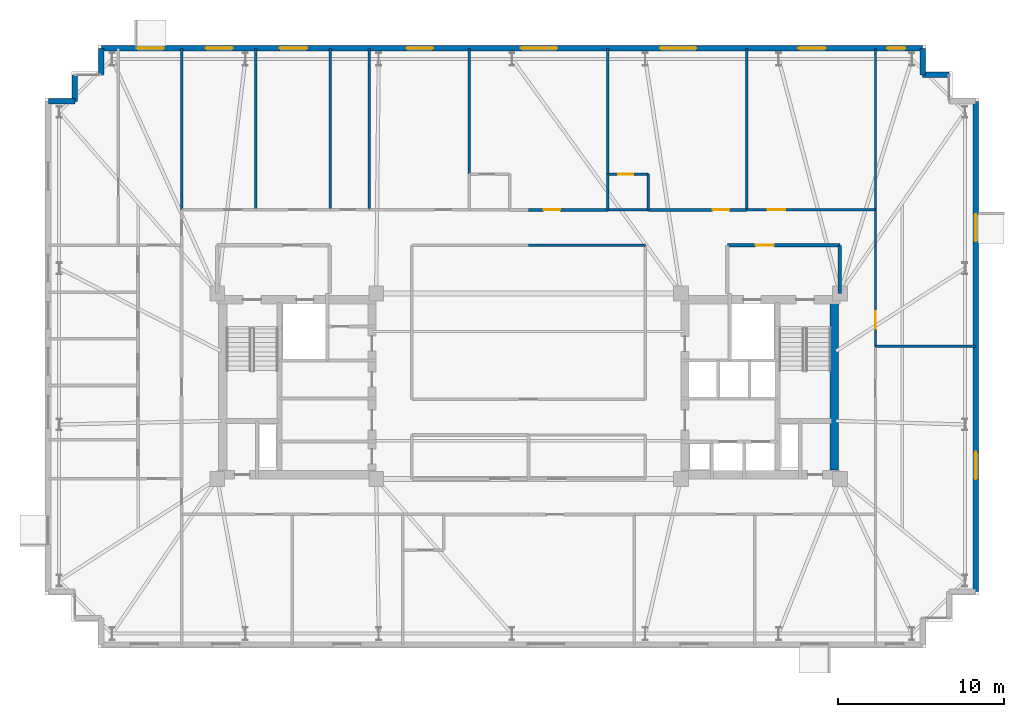
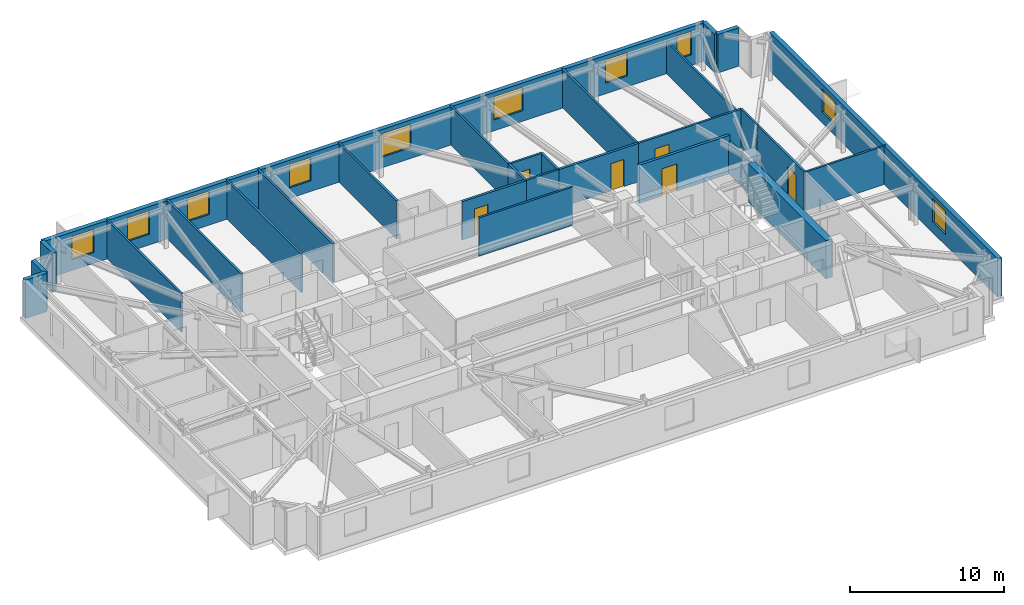
# One storey, part 14 of 17: 29 walls, 10 windows, 6 doors, 16 openings.
"""IFC4 building model written with IfcOpenShell, lengths in metres."""

from ifc_helpers import new_model, si_unit, direction, frame, frame_2d, origin, place, context, subcontext, project, spatial, rectangle, extrude, material, layer, layer_set, type_object, element, fill, save


model = new_model("IFC4")

# Units and contexts
model_context = context("Model", 3, precision=1e-05, world=origin(), true_north=direction((0.0, 1.0)))
body_context = subcontext(model_context, "Body", "Model", "MODEL_VIEW")
ifc_project = project(units=[si_unit("LENGTHUNIT", "METRE"), si_unit("AREAUNIT", "SQUARE_METRE"), si_unit("VOLUMEUNIT", "CUBIC_METRE"), si_unit("PLANEANGLEUNIT", "RADIAN"), si_unit("MASSUNIT", "GRAM", prefix="KILO")], contexts=[model_context])

# Site, building, storey
site_placement = place(None, origin())
site = spatial("IfcSite", under=ifc_project, at=site_placement, CompositionType="ELEMENT")
building_placement = place(site_placement, origin())
building = spatial("IfcBuilding", under=site, at=building_placement, Name="Qobustan Lattice House", CompositionType="ELEMENT")
storey_placement = place(building_placement, frame((0.0, 0.0, 167.85009765625)))
storey = spatial("IfcBuildingStorey", under=building, at=storey_placement, Name="L47", CompositionType="ELEMENT", Elevation=167.85009765625)

# Walls
ifc_material_1 = material(Name="Concrete C50/60", Category="concrete")
ifc_layer_1 = layer(ifc_material_1, 0.5)
ifc_layer_set_1 = layer_set([ifc_layer_1], Name="Concrete C50/60")
wall_type_1 = type_object("IfcWallType", Name="WAL-CORE-500", PredefinedType="SHEAR", material=ifc_layer_set_1)
wall_1_placement = place(storey_placement, frame((18.4599609375, -5.050048828125, 0.0), z_axis=(0.0, 0.0, 1.0), x_axis=(0.0, 1.0, 0.0)))
element("IfcWall", 1, at=wall_1_placement, inside=storey, type_object=wall_type_1, Name="L47 split-core shear wall CE-E", PredefinedType="SHEAR", context=body_context, shape_type="SweptSolid", body=[
    extrude(rectangle(XDim=10.10009765625, YDim=0.5, at=frame_2d((5.050048828125, 0.0))), origin(), (0.0, 0.0, 1.0), 3.039794921875),
])
ifc_material_2 = material(Name="Precast concrete C40/50", Category="concrete")
ifc_layer_2 = layer(ifc_material_2, 0.320068359375)
ifc_layer_set_2 = layer_set([ifc_layer_2], Name="Precast concrete C40/50")
wall_type_2 = type_object("IfcWallType", Name="WAL-EXT-STONE-320", PredefinedType="SOLIDWALL", material=ifc_layer_set_2)
for number, where, z_axis, x_axis, name in (
    (2, (-29.0, 17.199951171875, 0.0), (0.0, 0.0, 1.0), (1.0, 0.0, 0.0), "L47 exterior limestone-clad wall 6"),
    (3, (-27.39990234375, 17.199951171875, 0.0), (0.0, 0.0, 1.0), (0.0, 1.0, 0.0), "L47 exterior limestone-clad wall 7"),
):
    element("IfcWall", number, at=place(storey_placement, frame(where, z_axis=z_axis, x_axis=x_axis)), inside=storey, type_object=wall_type_2, Name=name, PredefinedType="SOLIDWALL", context=body_context, shape_type="SweptSolid", body=[
        extrude(rectangle(XDim=1.60009765625, YDim=0.320068359375, at=frame_2d((0.800048828125, 0.0))), origin(), (0.0, 0.0, 1.0), 3.039794921875),
    ])
wall_2_placement = place(storey_placement, frame((-25.800048828125, 18.800048828125, 0.0), z_axis=(0.0, 0.0, 1.0), x_axis=(0.0, 1.0, 0.0)))
element("IfcWall", 4, at=wall_2_placement, inside=storey, type_object=wall_type_2, Name="L47 exterior limestone-clad wall 9", PredefinedType="SOLIDWALL", context=body_context, shape_type="SweptSolid", body=[
    extrude(rectangle(XDim=1.599853515625, YDim=0.320068359375, at=frame_2d((0.7998046875, 0.0))), origin(), (0.0, 0.0, 1.0), 3.039794921875),
])

# Wall, openings, windows
wall_3_placement = place(storey_placement, frame((-25.800048828125, 20.39990234375, 0.0), z_axis=(0.0, 0.0, 1.0), x_axis=(1.0, 0.0, 0.0)))
wall_3 = element("IfcWall", 5, at=wall_3_placement, inside=storey, type_object=wall_type_2, Name="L47 exterior limestone-clad wall 10", PredefinedType="SOLIDWALL", context=body_context, shape_type="SweptSolid", body=[
    extrude(rectangle(XDim=49.60009765625, YDim=0.320068359375, at=frame_2d((24.800048828125, 0.0))), origin(), (0.0, 0.0, 1.0), 3.039794921875),
])
opening_1_placement = place(wall_3_placement, frame((2.135009765625, 0.0, 0.85009765625)))
opening_1 = element("IfcOpeningElement", 6, at=opening_1_placement, cuts=wall_3, Name="Opening WN-09", PredefinedType="OPENING", context=body_context, shape_type="SweptSolid", body=[
    extrude(rectangle(XDim=1.64990234375, YDim=1.85009765625, at=frame_2d((0.824951171875, 0.925048828125))), frame((0.0, 0.169921875, 0.0), z_axis=(0.0, -1.0, 0.0), x_axis=(1.0, 0.0, 0.0)), (0.0, 0.0, 1.0), 0.340087890625),
])
opening_2_placement = place(wall_3_placement, frame((6.294921875, 0.0, 0.85009765625)))
opening_2 = element("IfcOpeningElement", 7, at=opening_2_placement, cuts=wall_3, Name="Opening WN-09", PredefinedType="OPENING", context=body_context, shape_type="SweptSolid", body=[
    extrude(rectangle(XDim=1.64990234375, YDim=1.85009765625, at=frame_2d((0.824951171875, 0.925048828125))), frame((0.0, 0.169921875, 0.0), z_axis=(0.0, -1.0, 0.0), x_axis=(1.0, 0.0, 0.0)), (0.0, 0.0, 1.0), 0.340087890625),
])
opening_3_placement = place(wall_3_placement, frame((10.77490234375, 0.0, 0.85009765625)))
opening_3 = element("IfcOpeningElement", 8, at=opening_3_placement, cuts=wall_3, Name="Opening WN-09", PredefinedType="OPENING", context=body_context, shape_type="SweptSolid", body=[
    extrude(rectangle(XDim=1.64990234375, YDim=1.85009765625, at=frame_2d((0.824951171875, 0.925048828125))), frame((0.0, 0.169921875, 0.0), z_axis=(0.0, -1.0, 0.0), x_axis=(1.0, 0.0, 0.0)), (0.0, 0.0, 1.0), 0.340087890625),
])
opening_4_placement = place(wall_3_placement, frame((18.43994140625, 0.0, 0.85009765625)))
opening_4 = element("IfcOpeningElement", 9, at=opening_4_placement, cuts=wall_3, Name="Opening WN-13", PredefinedType="OPENING", context=body_context, shape_type="SweptSolid", body=[
    extrude(rectangle(XDim=1.60009765625, YDim=1.85009765625, at=frame_2d((0.800048828125, 0.925048828125))), frame((0.0, 0.169921875, 0.0), z_axis=(0.0, -1.0, 0.0), x_axis=(1.0, 0.0, 0.0)), (0.0, 0.0, 1.0), 0.340087890625),
])
opening_5_placement = place(wall_3_placement, frame((25.340087890625, 0.0, 0.85009765625)))
opening_5 = element("IfcOpeningElement", 10, at=opening_5_placement, cuts=wall_3, Name="Opening WN-03", PredefinedType="OPENING", context=body_context, shape_type="SweptSolid", body=[
    extrude(rectangle(XDim=2.199951171875, YDim=1.85009765625, at=frame_2d((1.10009765625, 0.925048828125))), frame((0.0, 0.169921875, 0.0), z_axis=(0.0, -1.0, 0.0), x_axis=(1.0, 0.0, 0.0)), (0.0, 0.0, 1.0), 0.340087890625),
])
opening_6_placement = place(wall_3_placement, frame((33.739990234375, 0.0, 0.85009765625)))
opening_6 = element("IfcOpeningElement", 11, at=opening_6_placement, cuts=wall_3, Name="Opening WN-03", PredefinedType="OPENING", context=body_context, shape_type="SweptSolid", body=[
    extrude(rectangle(XDim=2.199951171875, YDim=1.85009765625, at=frame_2d((1.10009765625, 0.925048828125))), frame((0.0, 0.169921875, 0.0), z_axis=(0.0, -1.0, 0.0), x_axis=(1.0, 0.0, 0.0)), (0.0, 0.0, 1.0), 0.340087890625),
])
opening_7_placement = place(wall_3_placement, frame((42.094970703125, 0.0, 0.85009765625)))
opening_7 = element("IfcOpeningElement", 12, at=opening_7_placement, cuts=wall_3, Name="Opening WN-09", PredefinedType="OPENING", context=body_context, shape_type="SweptSolid", body=[
    extrude(rectangle(XDim=1.64990234375, YDim=1.85009765625, at=frame_2d((0.824951171875, 0.925048828125))), frame((0.0, 0.169921875, 0.0), z_axis=(0.0, -1.0, 0.0), x_axis=(1.0, 0.0, 0.0)), (0.0, 0.0, 1.0), 0.340087890625),
])
opening_8_placement = place(wall_3_placement, frame((47.449951171875, 0.0, 0.85009765625)))
opening_8 = element("IfcOpeningElement", 13, at=opening_8_placement, cuts=wall_3, Name="Opening WN-04", PredefinedType="OPENING", context=body_context, shape_type="SweptSolid", body=[
    extrude(rectangle(XDim=1.10009765625, YDim=1.85009765625, at=frame_2d((0.550048828125, 0.925048828125))), frame((0.0, 0.169921875, 0.0), z_axis=(0.0, -1.0, 0.0), x_axis=(1.0, 0.0, 0.0)), (0.0, 0.0, 1.0), 0.340087890625),
])
ifc_material_3 = material(Name="Double-glazed low-E aluminium window", Category="aluminium")
window_type_1 = type_object("IfcWindowType", Name="WIN-BED-1600x1850", PartitioningType="SINGLE_PANEL", PredefinedType="WINDOW", material=ifc_material_3)
window_1_placement = place(opening_4_placement, origin())
window_1 = element("IfcWindow", 14, at=window_1_placement, inside=storey, type_object=window_type_1, Name="L47 Laundry utility room window", OverallHeight=1.85009765625, OverallWidth=1.60009765625, PartitioningType="SINGLE_PANEL", PredefinedType="WINDOW", context=body_context, shape_type="SweptSolid", body=[
    extrude(rectangle(XDim=1.60009765625, YDim=1.85009765625, at=frame_2d((0.800048828125, 0.925048828125))), frame((0.0, 0.030029296875, 0.0), z_axis=(0.0, -1.0, 0.0), x_axis=(1.0, 0.0, 0.0)), (0.0, 0.0, 1.0), 0.06005859375),
])
fill(opening_4, window_1)
ifc_material_4 = material(Name="Double-glazed low-E aluminium window", Category="aluminium")
window_type_2 = type_object("IfcWindowType", Name="WIN-NAR-1100x1850", PartitioningType="SINGLE_PANEL", PredefinedType="WINDOW", material=ifc_material_4)
window_2_placement = place(opening_8_placement, origin())
window_2 = element("IfcWindow", 15, at=window_2_placement, inside=storey, type_object=window_type_2, Name="L47 Collaborative tutorial room window", OverallHeight=1.85009765625, OverallWidth=1.10009765625, PartitioningType="SINGLE_PANEL", PredefinedType="WINDOW", context=body_context, shape_type="SweptSolid", body=[
    extrude(rectangle(XDim=1.10009765625, YDim=1.85009765625, at=frame_2d((0.550048828125, 0.925048828125))), frame((0.0, 0.030029296875, 0.0), z_axis=(0.0, -1.0, 0.0), x_axis=(1.0, 0.0, 0.0)), (0.0, 0.0, 1.0), 0.06005859375),
])
fill(opening_8, window_2)
ifc_material_5 = material(Name="Double-glazed low-E aluminium window", Category="aluminium")
window_type_3 = type_object("IfcWindowType", Name="WIN-STU-1650x1850", PartitioningType="SINGLE_PANEL", PredefinedType="WINDOW", material=ifc_material_5)
window_3_placement = place(opening_1_placement, origin())
window_3 = element("IfcWindow", 16, at=window_3_placement, inside=storey, type_object=window_type_3, Name="L47 Reading seminar room L47WN window", OverallHeight=1.85009765625, OverallWidth=1.64990234375, PartitioningType="SINGLE_PANEL", PredefinedType="WINDOW", context=body_context, shape_type="SweptSolid", body=[
    extrude(rectangle(XDim=1.64990234375, YDim=1.85009765625, at=frame_2d((0.824951171875, 0.925048828125))), frame((0.0, 0.030029296875, 0.0), z_axis=(0.0, -1.0, 0.0), x_axis=(1.0, 0.0, 0.0)), (0.0, 0.0, 1.0), 0.06005859375),
])
fill(opening_1, window_3)
window_4_placement = place(opening_2_placement, origin())
window_4 = element("IfcWindow", 17, at=window_4_placement, inside=storey, type_object=window_type_3, Name="L47 Focus study room N1A window", OverallHeight=1.85009765625, OverallWidth=1.64990234375, PartitioningType="SINGLE_PANEL", PredefinedType="WINDOW", context=body_context, shape_type="SweptSolid", body=[
    extrude(rectangle(XDim=1.64990234375, YDim=1.85009765625, at=frame_2d((0.824951171875, 0.925048828125))), frame((0.0, 0.030029296875, 0.0), z_axis=(0.0, -1.0, 0.0), x_axis=(1.0, 0.0, 0.0)), (0.0, 0.0, 1.0), 0.06005859375),
])
fill(opening_2, window_4)
window_5_placement = place(opening_3_placement, origin())
window_5 = element("IfcWindow", 18, at=window_5_placement, inside=storey, type_object=window_type_3, Name="L47 Focus study room N1B window", OverallHeight=1.85009765625, OverallWidth=1.64990234375, PartitioningType="SINGLE_PANEL", PredefinedType="WINDOW", context=body_context, shape_type="SweptSolid", body=[
    extrude(rectangle(XDim=1.64990234375, YDim=1.85009765625, at=frame_2d((0.824951171875, 0.925048828125))), frame((0.0, 0.030029296875, 0.0), z_axis=(0.0, -1.0, 0.0), x_axis=(1.0, 0.0, 0.0)), (0.0, 0.0, 1.0), 0.06005859375),
])
fill(opening_3, window_5)
window_6_placement = place(opening_7_placement, origin())
window_6 = element("IfcWindow", 19, at=window_6_placement, inside=storey, type_object=window_type_3, Name="L47 Focus study room N5 window", OverallHeight=1.85009765625, OverallWidth=1.64990234375, PartitioningType="SINGLE_PANEL", PredefinedType="WINDOW", context=body_context, shape_type="SweptSolid", body=[
    extrude(rectangle(XDim=1.64990234375, YDim=1.85009765625, at=frame_2d((0.824951171875, 0.925048828125))), frame((0.0, 0.030029296875, 0.0), z_axis=(0.0, -1.0, 0.0), x_axis=(1.0, 0.0, 0.0)), (0.0, 0.0, 1.0), 0.06005859375),
])
fill(opening_7, window_6)
ifc_material_6 = material(Name="Double-glazed low-E aluminium window", Category="aluminium")
window_type_4 = type_object("IfcWindowType", Name="WIN-WIDE-2200x1850", PartitioningType="SINGLE_PANEL", PredefinedType="WINDOW", material=ifc_material_6)
window_7_placement = place(opening_5_placement, origin())
window_7 = element("IfcWindow", 20, at=window_7_placement, inside=storey, type_object=window_type_4, Name="L47 Kitchenette and studio apartment L47-N3 window", OverallHeight=1.85009765625, OverallWidth=2.199951171875, PartitioningType="SINGLE_PANEL", PredefinedType="WINDOW", context=body_context, shape_type="SweptSolid", body=[
    extrude(rectangle(XDim=2.199951171875, YDim=1.85009765625, at=frame_2d((1.10009765625, 0.925048828125))), frame((0.0, 0.030029296875, 0.0), z_axis=(0.0, -1.0, 0.0), x_axis=(1.0, 0.0, 0.0)), (0.0, 0.0, 1.0), 0.06005859375),
])
fill(opening_5, window_7)
window_8_placement = place(opening_6_placement, origin())
window_8 = element("IfcWindow", 21, at=window_8_placement, inside=storey, type_object=window_type_4, Name="L47 Kitchenette and studio apartment L47-N4 window", OverallHeight=1.85009765625, OverallWidth=2.199951171875, PartitioningType="SINGLE_PANEL", PredefinedType="WINDOW", context=body_context, shape_type="SweptSolid", body=[
    extrude(rectangle(XDim=2.199951171875, YDim=1.85009765625, at=frame_2d((1.10009765625, 0.925048828125))), frame((0.0, 0.030029296875, 0.0), z_axis=(0.0, -1.0, 0.0), x_axis=(1.0, 0.0, 0.0)), (0.0, 0.0, 1.0), 0.06005859375),
])
fill(opening_6, window_8)

# Walls
for number, where, z_axis, x_axis, name in (
    (22, (23.800048828125, 20.39990234375, 0.0), (0.0, 0.0, 1.0), (0.0, -1.0, 0.0), "L47 exterior limestone-clad wall 11"),
    (23, (23.800048828125, 18.800048828125, 0.0), (0.0, 0.0, 1.0), (1.0, 0.0, 0.0), "L47 exterior limestone-clad wall 12"),
):
    element("IfcWall", number, at=place(storey_placement, frame(where, z_axis=z_axis, x_axis=x_axis)), inside=storey, type_object=wall_type_2, Name=name, PredefinedType="SOLIDWALL", context=body_context, shape_type="SweptSolid", body=[
        extrude(rectangle(XDim=1.599853515625, YDim=0.320068359375, at=frame_2d((0.7998046875, 0.0))), origin(), (0.0, 0.0, 1.0), 3.039794921875),
    ])

# Wall, openings, windows
wall_4_placement = place(storey_placement, frame((27.0, 17.199951171875, 0.0), z_axis=(0.0, 0.0, 1.0), x_axis=(0.0, -1.0, 0.0)))
wall_4 = element("IfcWall", 24, at=wall_4_placement, inside=storey, type_object=wall_type_2, Name="L47 exterior limestone-clad wall 15", PredefinedType="SOLIDWALL", context=body_context, shape_type="SweptSolid", body=[
    extrude(rectangle(XDim=29.599853515625, YDim=0.320068359375, at=frame_2d((14.7998046875, 0.0))), origin(), (0.0, 0.0, 1.0), 3.039794921875),
])
opening_9_placement = place(wall_4_placement, frame((6.81494140625, 0.0, 0.85009765625)))
opening_9 = element("IfcOpeningElement", 25, at=opening_9_placement, cuts=wall_4, Name="Opening WN-09", PredefinedType="OPENING", context=body_context, shape_type="SweptSolid", body=[
    extrude(rectangle(XDim=1.64990234375, YDim=1.85009765625, at=frame_2d((0.824951171875, 0.925048828125))), frame((0.0, 0.169921875, 0.0), z_axis=(0.0, -1.0, 0.0), x_axis=(1.0, 0.0, 0.0)), (0.0, 0.0, 1.0), 0.340087890625),
])
opening_10_placement = place(wall_4_placement, frame((21.175048828125, 0.0, 0.85009765625)))
opening_10 = element("IfcOpeningElement", 26, at=opening_10_placement, cuts=wall_4, Name="Opening WN-09", PredefinedType="OPENING", context=body_context, shape_type="SweptSolid", body=[
    extrude(rectangle(XDim=1.64990234375, YDim=1.85009765625, at=frame_2d((0.824951171875, 0.925048828125))), frame((0.0, 0.169921875, 0.0), z_axis=(0.0, -1.0, 0.0), x_axis=(1.0, 0.0, 0.0)), (0.0, 0.0, 1.0), 0.340087890625),
])
window_9_placement = place(opening_9_placement, origin())
window_9 = element("IfcWindow", 27, at=window_9_placement, inside=storey, type_object=window_type_3, Name="L47 Collaborative tutorial room window", OverallHeight=1.85009765625, OverallWidth=1.64990234375, PartitioningType="SINGLE_PANEL", PredefinedType="WINDOW", context=body_context, shape_type="SweptSolid", body=[
    extrude(rectangle(XDim=1.64990234375, YDim=1.85009765625, at=frame_2d((0.824951171875, 0.925048828125))), frame((0.0, 0.030029296875, 0.0), z_axis=(0.0, -1.0, 0.0), x_axis=(1.0, 0.0, 0.0)), (0.0, 0.0, 1.0), 0.06005859375),
])
fill(opening_9, window_9)
window_10_placement = place(opening_10_placement, origin())
window_10 = element("IfcWindow", 28, at=window_10_placement, inside=storey, type_object=window_type_3, Name="L47 Fellows reading room window", OverallHeight=1.85009765625, OverallWidth=1.64990234375, PartitioningType="SINGLE_PANEL", PredefinedType="WINDOW", context=body_context, shape_type="SweptSolid", body=[
    extrude(rectangle(XDim=1.64990234375, YDim=1.85009765625, at=frame_2d((0.824951171875, 0.925048828125))), frame((0.0, 0.030029296875, 0.0), z_axis=(0.0, -1.0, 0.0), x_axis=(1.0, 0.0, 0.0)), (0.0, 0.0, 1.0), 0.06005859375),
])
fill(opening_10, window_10)

# Wall, opening, door
ifc_material_7 = material(Name="Gypsum fireboard acoustic partition", Category="gypsum")
ifc_layer_3 = layer(ifc_material_7, 0.179931640625)
ifc_layer_set_3 = layer_set([ifc_layer_3], Name="Gypsum fireboard acoustic partition")
wall_type_3 = type_object("IfcWallType", Name="WAL-FIRE-180", PredefinedType="PARTITIONING", material=ifc_layer_set_3)
wall_5_placement = place(storey_placement, frame((0.0, 10.64990234375, 0.0), z_axis=(0.0, 0.0, 1.0), x_axis=(1.0, 0.0, 0.0)))
wall_5 = element("IfcWall", 29, at=wall_5_placement, inside=storey, type_object=wall_type_3, Name="L47 interior partition 41", PredefinedType="PARTITIONING", context=body_context, shape_type="SweptSolid", body=[
    extrude(rectangle(XDim=4.7900390625, YDim=0.179931640625, at=frame_2d((2.39501953125, 0.0))), origin(), (0.0, 0.0, 1.0), 3.039794921875),
])
opening_11_placement = place(wall_5_placement, frame((0.90869140625, 0.0, 0.0)))
opening_11 = element("IfcOpeningElement", 30, at=opening_11_placement, cuts=wall_5, Name="Opening FD-02", PredefinedType="OPENING", context=body_context, shape_type="SweptSolid", body=[
    extrude(rectangle(XDim=1.0, YDim=2.14990234375, at=frame_2d((0.5, 1.074951171875))), frame((0.0, 0.099853515625, 0.0), z_axis=(0.0, -1.0, 0.0), x_axis=(1.0, 0.0, 0.0)), (0.0, 0.0, 1.0), 0.199951171875),
])
ifc_material_8 = material(Name="Persian walnut timber and steel frame door", Category="steel")
door_type_1 = type_object("IfcDoorType", Name="DOR-UNIT-FD-1000x2150", OperationType="NOTDEFINED", PredefinedType="DOOR", material=ifc_material_8)
door_1_placement = place(opening_11_placement, origin())
door_1 = element("IfcDoor", 31, at=door_1_placement, inside=storey, type_object=door_type_1, Name="L47 North-east floor corridor to Kitchenette and studio apartment L47-N3 door", OperationType="SINGLE_SWING_LEFT", OverallHeight=2.14990234375, OverallWidth=1.0, PredefinedType="DOOR", context=body_context, shape_type="SweptSolid", body=[
    extrude(rectangle(XDim=1.0, YDim=2.14990234375, at=frame_2d((0.5, 1.074951171875))), frame((0.0, 0.02490234375, 0.0), z_axis=(0.0, -1.0, 0.0), x_axis=(1.0, 0.0, 0.0)), (0.0, 0.0, 1.0), 0.050048828125),
])
fill(opening_11, door_1)

wall_6_placement = place(storey_placement, frame((7.239990234375, 10.64990234375, 0.0), z_axis=(0.0, 0.0, 1.0), x_axis=(1.0, 0.0, 0.0)))
wall_6 = element("IfcWall", 32, at=wall_6_placement, inside=storey, type_object=wall_type_3, Name="L47 interior partition 42", PredefinedType="PARTITIONING", context=body_context, shape_type="SweptSolid", body=[
    extrude(rectangle(XDim=5.929931640625, YDim=0.179931640625, at=frame_2d((2.96484375, 0.0))), origin(), (0.0, 0.0, 1.0), 3.039794921875),
])
opening_12_placement = place(wall_6_placement, frame((3.87890625, 0.0, 0.0)))
opening_12 = element("IfcOpeningElement", 33, at=opening_12_placement, cuts=wall_6, Name="Opening FD-02", PredefinedType="OPENING", context=body_context, shape_type="SweptSolid", body=[
    extrude(rectangle(XDim=1.0, YDim=2.14990234375, at=frame_2d((0.5, 1.074951171875))), frame((0.0, 0.099853515625, 0.0), z_axis=(0.0, -1.0, 0.0), x_axis=(1.0, 0.0, 0.0)), (0.0, 0.0, 1.0), 0.199951171875),
])
door_2_placement = place(opening_12_placement, origin())
door_2 = element("IfcDoor", 34, at=door_2_placement, inside=storey, type_object=door_type_1, Name="L47 North-east floor corridor to Kitchenette and studio apartment L47-N4 door", OperationType="SINGLE_SWING_RIGHT", OverallHeight=2.14990234375, OverallWidth=1.0, PredefinedType="DOOR", context=body_context, shape_type="SweptSolid", body=[
    extrude(rectangle(XDim=1.0, YDim=2.14990234375, at=frame_2d((0.5, 1.074951171875))), frame((0.0, 0.02490234375, 0.0), z_axis=(0.0, -1.0, 0.0), x_axis=(1.0, 0.0, 0.0)), (0.0, 0.0, 1.0), 0.050048828125),
])
fill(opening_12, door_2)

# Wall
ifc_material_9 = material(Name="Acoustic twin-stud gypsum partition", Category="gypsum")
ifc_layer_4 = layer(ifc_material_9, 0.14990234375)
ifc_layer_set_4 = layer_set([ifc_layer_4], Name="Acoustic twin-stud gypsum partition")
wall_type_4 = type_object("IfcWallType", Name="WAL-PART-150", PredefinedType="PARTITIONING", material=ifc_layer_set_4)
wall_7_placement = place(storey_placement, frame((20.949951171875, 10.64990234375, 0.0), z_axis=(0.0, 0.0, 1.0), x_axis=(0.0, -1.0, 0.0)))
element("IfcWall", 35, at=wall_7_placement, inside=storey, type_object=wall_type_4, Name="L47 interior partition 40", PredefinedType="PARTITIONING", context=body_context, shape_type="SweptSolid", body=[
    extrude(rectangle(XDim=2.14990234375, YDim=0.14990234375, at=frame_2d((1.074951171875, 0.0))), origin(), (0.0, 0.0, 1.0), 3.039794921875),
])

# Wall, opening, door
wall_8_placement = place(storey_placement, frame((13.169921875, 10.64990234375, 0.0), z_axis=(0.0, 0.0, 1.0), x_axis=(1.0, 0.0, 0.0)))
wall_8 = element("IfcWall", 36, at=wall_8_placement, inside=storey, type_object=wall_type_4, Name="L47 interior partition 44", PredefinedType="PARTITIONING", context=body_context, shape_type="SweptSolid", body=[
    extrude(rectangle(XDim=7.780029296875, YDim=0.14990234375, at=frame_2d((3.89013671875, 0.0))), origin(), (0.0, 0.0, 1.0), 3.039794921875),
])
opening_13_placement = place(wall_8_placement, frame((1.276123046875, 0.0, 0.0)))
opening_13 = element("IfcOpeningElement", 37, at=opening_13_placement, cuts=wall_8, Name="Opening ID-02", PredefinedType="OPENING", context=body_context, shape_type="SweptSolid", body=[
    extrude(rectangle(XDim=1.050048828125, YDim=2.14990234375, at=frame_2d((0.52490234375, 1.074951171875))), frame((0.0, 0.0849609375, 0.0), z_axis=(0.0, -1.0, 0.0), x_axis=(1.0, 0.0, 0.0)), (0.0, 0.0, 1.0), 0.169921875),
])
ifc_material_10 = material(Name="Persian walnut timber and steel frame door", Category="steel")
door_type_2 = type_object("IfcDoorType", Name="DOR-STUDY-1050x2150", OperationType="NOTDEFINED", PredefinedType="DOOR", material=ifc_material_10)
door_3_placement = place(opening_13_placement, origin())
door_3 = element("IfcDoor", 38, at=door_3_placement, inside=storey, type_object=door_type_2, Name="L47 North-east floor corridor to Focus study room N5 door", OperationType="SINGLE_SWING_LEFT", OverallHeight=2.14990234375, OverallWidth=1.050048828125, PredefinedType="DOOR", context=body_context, shape_type="SweptSolid", body=[
    extrude(rectangle(XDim=1.050048828125, YDim=2.14990234375, at=frame_2d((0.52490234375, 1.074951171875))), frame((0.0, 0.02490234375, 0.0), z_axis=(0.0, -1.0, 0.0), x_axis=(1.0, 0.0, 0.0)), (0.0, 0.0, 1.0), 0.050048828125),
])
fill(opening_13, door_3)

# Wall
wall_9_placement = place(storey_placement, frame((7.050048828125, 8.5, 0.0), z_axis=(0.0, 0.0, 1.0), x_axis=(-1.0, 0.0, 0.0)))
element("IfcWall", 39, at=wall_9_placement, inside=storey, type_object=wall_type_4, Name="L47 interior partition 45", PredefinedType="PARTITIONING", context=body_context, shape_type="SweptSolid", body=[
    extrude(rectangle(XDim=7.050048828125, YDim=0.14990234375, at=frame_2d((3.52490234375, 0.0))), origin(), (0.0, 0.0, 1.0), 3.039794921875),
])

# Wall, opening, door
wall_10_placement = place(storey_placement, frame((20.949951171875, 8.5, 0.0), z_axis=(0.0, 0.0, 1.0), x_axis=(0.0, -1.0, 0.0)))
wall_10 = element("IfcWall", 40, at=wall_10_placement, inside=storey, type_object=wall_type_4, Name="L47 interior partition 59", PredefinedType="PARTITIONING", context=body_context, shape_type="SweptSolid", body=[
    extrude(rectangle(XDim=6.10009765625, YDim=0.14990234375, at=frame_2d((3.050048828125, 0.0))), origin(), (0.0, 0.0, 1.0), 3.039794921875),
])
opening_14_placement = place(wall_10_placement, frame((3.983642578125, 0.0, 0.0)))
opening_14 = element("IfcOpeningElement", 41, at=opening_14_placement, cuts=wall_10, Name="Opening ID-02", PredefinedType="OPENING", context=body_context, shape_type="SweptSolid", body=[
    extrude(rectangle(XDim=1.050048828125, YDim=2.14990234375, at=frame_2d((0.52490234375, 1.074951171875))), frame((0.0, 0.0849609375, 0.0), z_axis=(0.0, -1.0, 0.0), x_axis=(1.0, 0.0, 0.0)), (0.0, 0.0, 1.0), 0.169921875),
])
door_4_placement = place(opening_14_placement, origin())
door_4 = element("IfcDoor", 42, at=door_4_placement, inside=storey, type_object=door_type_2, Name="L47 East wing spine gallery to Collaborative tutorial room door", OperationType="SINGLE_SWING_RIGHT", OverallHeight=2.14990234375, OverallWidth=1.050048828125, PredefinedType="DOOR", context=body_context, shape_type="SweptSolid", body=[
    extrude(rectangle(XDim=1.050048828125, YDim=2.14990234375, at=frame_2d((0.52490234375, 1.074951171875))), frame((0.0, 0.02490234375, 0.0), z_axis=(0.0, -1.0, 0.0), x_axis=(1.0, 0.0, 0.0)), (0.0, 0.0, 1.0), 0.050048828125),
])
fill(opening_14, door_4)

# Walls
wall_11_placement = place(storey_placement, frame((-20.949951171875, 20.39990234375, 0.0), z_axis=(0.0, 0.0, 1.0), x_axis=(0.0, -1.0, 0.0)))
element("IfcWall", 43, at=wall_11_placement, inside=storey, type_object=wall_type_4, Name="L47 interior partition 76", PredefinedType="PARTITIONING", context=body_context, shape_type="SweptSolid", body=[
    extrude(rectangle(XDim=9.75, YDim=0.14990234375, at=frame_2d((4.875, 0.0))), origin(), (0.0, 0.0, 1.0), 3.039794921875),
])
wall_12_placement = place(storey_placement, frame((20.949951171875, 2.39990234375, 0.0), z_axis=(0.0, 0.0, 1.0), x_axis=(1.0, 0.0, 0.0)))
element("IfcWall", 44, at=wall_12_placement, inside=storey, type_object=wall_type_4, Name="L47 interior partition 84", PredefinedType="PARTITIONING", context=body_context, shape_type="SweptSolid", body=[
    extrude(rectangle(XDim=6.050048828125, YDim=0.14990234375, at=frame_2d((3.02490234375, 0.0))), origin(), (0.0, 0.0, 1.0), 3.039794921875),
])
wall_13_placement = place(storey_placement, frame((20.949951171875, 10.64990234375, 0.0), z_axis=(0.0, 0.0, 1.0), x_axis=(0.0, 1.0, 0.0)))
element("IfcWall", 45, at=wall_13_placement, inside=storey, type_object=wall_type_4, Name="L47 interior partition 86", PredefinedType="PARTITIONING", context=body_context, shape_type="SweptSolid", body=[
    extrude(rectangle(XDim=9.75, YDim=0.14990234375, at=frame_2d((4.875, 0.0))), origin(), (0.0, 0.0, 1.0), 2.52490234375),
])
wall_14_placement = place(storey_placement, frame((-16.4599609375, 20.39990234375, 0.0), z_axis=(0.0, 0.0, 1.0), x_axis=(0.0, -1.0, 0.0)))
element("IfcWall", 46, at=wall_14_placement, inside=storey, type_object=wall_type_4, Name="L47 interior partition 87", PredefinedType="PARTITIONING", context=body_context, shape_type="SweptSolid", body=[
    extrude(rectangle(XDim=9.75, YDim=0.14990234375, at=frame_2d((4.875, 0.0))), origin(), (0.0, 0.0, 1.0), 3.039794921875),
])
for number, where, z_axis, x_axis, name in (
    (47, (-3.590087890625, 20.39990234375, 0.0), (0.0, 0.0, 1.0), (0.0, -1.0, 0.0), "L47 interior partition 90"),
    (48, (4.7900390625, 20.39990234375, 0.0), (0.0, 0.0, 1.0), (0.0, -1.0, 0.0), "L47 interior partition 94"),
):
    element("IfcWall", number, at=place(storey_placement, frame(where, z_axis=z_axis, x_axis=x_axis)), inside=storey, type_object=wall_type_4, Name=name, PredefinedType="PARTITIONING", context=body_context, shape_type="SweptSolid", body=[
        extrude(rectangle(XDim=7.599853515625, YDim=0.14990234375, at=frame_2d((3.7998046875, 0.0))), origin(), (0.0, 0.0, 1.0), 3.039794921875),
    ])
wall_15_placement = place(storey_placement, frame((13.169921875, 20.39990234375, 0.0), z_axis=(0.0, 0.0, 1.0), x_axis=(0.0, -1.0, 0.0)))
element("IfcWall", 49, at=wall_15_placement, inside=storey, type_object=wall_type_4, Name="L47 interior partition 98", PredefinedType="PARTITIONING", context=body_context, shape_type="SweptSolid", body=[
    extrude(rectangle(XDim=9.75, YDim=0.14990234375, at=frame_2d((4.875, 0.0))), origin(), (0.0, 0.0, 1.0), 3.039794921875),
])

# Wall, opening, door
ifc_material_11 = material(Name="Two-hour gypsum fireboard acoustic partition", Category="gypsum")
ifc_layer_5 = layer(ifc_material_11, 0.199951171875)
ifc_layer_set_5 = layer_set([ifc_layer_5], Name="Two-hour gypsum fireboard acoustic partition")
wall_type_5 = type_object("IfcWallType", Name="WAL-PROT-200", PredefinedType="PARTITIONING", material=ifc_layer_set_5)
wall_16_placement = place(storey_placement, frame((18.800048828125, 8.5, 0.0), z_axis=(0.0, 0.0, 1.0), x_axis=(-1.0, 0.0, 0.0)))
wall_16 = element("IfcWall", 50, at=wall_16_placement, inside=storey, type_object=wall_type_5, Name="L47 interior partition 17", PredefinedType="PARTITIONING", context=body_context, shape_type="SweptSolid", body=[
    extrude(rectangle(XDim=6.800048828125, YDim=0.199951171875, at=frame_2d((3.39990234375, 0.0))), origin(), (0.0, 0.0, 1.0), 3.039794921875),
])
opening_15_placement = place(wall_16_placement, frame((3.985107421875, 0.0, 0.0)))
opening_15 = element("IfcOpeningElement", 51, at=opening_15_placement, cuts=wall_16, Name="Opening SD-01", PredefinedType="OPENING", context=body_context, shape_type="SweptSolid", body=[
    extrude(rectangle(XDim=1.10009765625, YDim=2.14990234375, at=frame_2d((0.550048828125, 1.074951171875))), frame((0.0, 0.10986328125, 0.0), z_axis=(0.0, -1.0, 0.0), x_axis=(1.0, 0.0, 0.0)), (0.0, 0.0, 1.0), 0.219970703125),
])
ifc_material_12 = material(Name="Persian walnut timber and steel frame door", Category="steel")
door_type_3 = type_object("IfcDoorType", Name="DOR-STAIR-FD-1100x2150", OperationType="NOTDEFINED", PredefinedType="DOOR", material=ifc_material_12)
door_5_placement = place(opening_15_placement, origin())
door_5 = element("IfcDoor", 52, at=door_5_placement, inside=storey, type_object=door_type_3, Name="L47 East firefighting lift lobby to North-east floor corridor door", OperationType="SINGLE_SWING_LEFT", OverallHeight=2.14990234375, OverallWidth=1.10009765625, PredefinedType="DOOR", context=body_context, shape_type="SweptSolid", body=[
    extrude(rectangle(XDim=1.10009765625, YDim=2.14990234375, at=frame_2d((0.550048828125, 1.074951171875))), frame((0.0, 0.02490234375, 0.0), z_axis=(0.0, -1.0, 0.0), x_axis=(1.0, 0.0, 0.0)), (0.0, 0.0, 1.0), 0.050048828125),
])
fill(opening_15, door_5)

# Walls
wall_17_placement = place(storey_placement, frame((18.800048828125, 5.60009765625, 0.0), z_axis=(0.0, 0.0, 1.0), x_axis=(0.0, 1.0, 0.0)))
element("IfcWall", 53, at=wall_17_placement, inside=storey, type_object=wall_type_5, Name="L47 interior partition 18", PredefinedType="PARTITIONING", context=body_context, shape_type="SweptSolid", body=[
    extrude(rectangle(XDim=2.89990234375, YDim=0.199951171875, at=frame_2d((1.449951171875, 0.0))), origin(), (0.0, 0.0, 1.0), 2.52490234375),
])
ifc_material_13 = material(Name="Moisture-resistant acoustic plumbing wall", Category="gypsum")
ifc_layer_6 = layer(ifc_material_13, 0.14990234375)
ifc_layer_set_6 = layer_set([ifc_layer_6], Name="Moisture-resistant acoustic plumbing wall")
wall_type_6 = type_object("IfcWallType", Name="WAL-WET-150", PredefinedType="PLUMBINGWALL", material=ifc_layer_set_6)
wall_18_placement = place(storey_placement, frame((4.7900390625, 10.64990234375, 0.0), z_axis=(0.0, 0.0, 1.0), x_axis=(1.0, 0.0, 0.0)))
element("IfcWall", 54, at=wall_18_placement, inside=storey, type_object=wall_type_6, Name="L47 interior partition 43", PredefinedType="PLUMBINGWALL", context=body_context, shape_type="SweptSolid", body=[
    extrude(rectangle(XDim=2.449951171875, YDim=0.14990234375, at=frame_2d((1.22509765625, 0.0))), origin(), (0.0, 0.0, 1.0), 3.039794921875),
])
for number, where, z_axis, x_axis, name in (
    (55, (-11.969970703125, 20.39990234375, 0.0), (0.0, 0.0, 1.0), (0.0, -1.0, 0.0), "L47 interior partition 88"),
    (56, (-9.6201171875, 20.39990234375, 0.0), (0.0, 0.0, 1.0), (0.0, -1.0, 0.0), "L47 interior partition 89"),
):
    element("IfcWall", number, at=place(storey_placement, frame(where, z_axis=z_axis, x_axis=x_axis)), inside=storey, type_object=wall_type_6, Name=name, PredefinedType="PLUMBINGWALL", context=body_context, shape_type="SweptSolid", body=[
        extrude(rectangle(XDim=9.75, YDim=0.14990234375, at=frame_2d((4.875, 0.0))), origin(), (0.0, 0.0, 1.0), 3.039794921875),
    ])
wall_19_placement = place(storey_placement, frame((4.7900390625, 12.800048828125, 0.0), z_axis=(0.0, 0.0, 1.0), x_axis=(0.0, -1.0, 0.0)))
element("IfcWall", 57, at=wall_19_placement, inside=storey, type_object=wall_type_6, Name="L47 interior partition 95", PredefinedType="PLUMBINGWALL", context=body_context, shape_type="SweptSolid", body=[
    extrude(rectangle(XDim=2.150146484375, YDim=0.14990234375, at=frame_2d((1.0751953125, 0.0))), origin(), (0.0, 0.0, 1.0), 3.039794921875),
])

# Wall, opening, door
wall_20_placement = place(storey_placement, frame((7.239990234375, 12.800048828125, 0.0), z_axis=(0.0, 0.0, 1.0), x_axis=(-1.0, 0.0, 0.0)))
wall_20 = element("IfcWall", 58, at=wall_20_placement, inside=storey, type_object=wall_type_6, Name="L47 interior partition 96", PredefinedType="PLUMBINGWALL", context=body_context, shape_type="SweptSolid", body=[
    extrude(rectangle(XDim=2.449951171875, YDim=0.14990234375, at=frame_2d((1.22509765625, 0.0))), origin(), (0.0, 0.0, 1.0), 3.039794921875),
])
opening_16_placement = place(wall_20_placement, frame((0.92138671875, 0.0, 0.0)))
opening_16 = element("IfcOpeningElement", 59, at=opening_16_placement, cuts=wall_20, Name="Opening WD-01", PredefinedType="OPENING", context=body_context, shape_type="SweptSolid", body=[
    extrude(rectangle(XDim=0.89990234375, YDim=2.10009765625, at=frame_2d((0.449951171875, 1.050048828125))), frame((0.0, 0.0849609375, 0.0), z_axis=(0.0, -1.0, 0.0), x_axis=(1.0, 0.0, 0.0)), (0.0, 0.0, 1.0), 0.169921875),
])
ifc_material_14 = material(Name="Persian walnut timber and steel frame door", Category="steel")
door_type_4 = type_object("IfcDoorType", Name="DOR-WET-900x2100", OperationType="NOTDEFINED", PredefinedType="DOOR", material=ifc_material_14)
door_6_placement = place(opening_16_placement, origin())
door_6 = element("IfcDoor", 60, at=door_6_placement, inside=storey, type_object=door_type_4, Name="L47 Kitchenette and studio apartment L47-N4 to En-suite bathroom L47-N4 door", OperationType="SINGLE_SWING_LEFT", OverallHeight=2.10009765625, OverallWidth=0.89990234375, PredefinedType="DOOR", context=body_context, shape_type="SweptSolid", body=[
    extrude(rectangle(XDim=0.89990234375, YDim=2.10009765625, at=frame_2d((0.449951171875, 1.050048828125))), frame((0.0, 0.02490234375, 0.0), z_axis=(0.0, -1.0, 0.0), x_axis=(1.0, 0.0, 0.0)), (0.0, 0.0, 1.0), 0.050048828125),
])
fill(opening_16, door_6)

# Wall
wall_21_placement = place(storey_placement, frame((7.239990234375, 10.64990234375, 0.0), z_axis=(0.0, 0.0, 1.0), x_axis=(0.0, 1.0, 0.0)))
element("IfcWall", 61, at=wall_21_placement, inside=storey, type_object=wall_type_6, Name="L47 interior partition 97", PredefinedType="PLUMBINGWALL", context=body_context, shape_type="SweptSolid", body=[
    extrude(rectangle(XDim=2.150146484375, YDim=0.14990234375, at=frame_2d((1.0751953125, 0.0))), origin(), (0.0, 0.0, 1.0), 3.039794921875),
])

save(model, "model.ifc")
